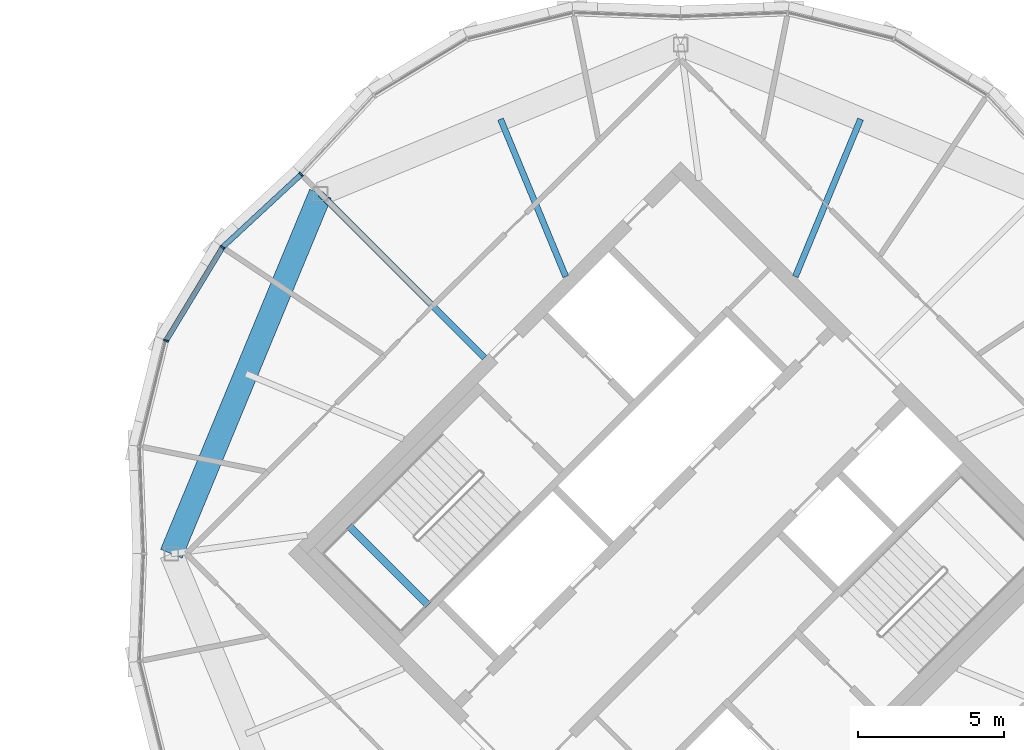
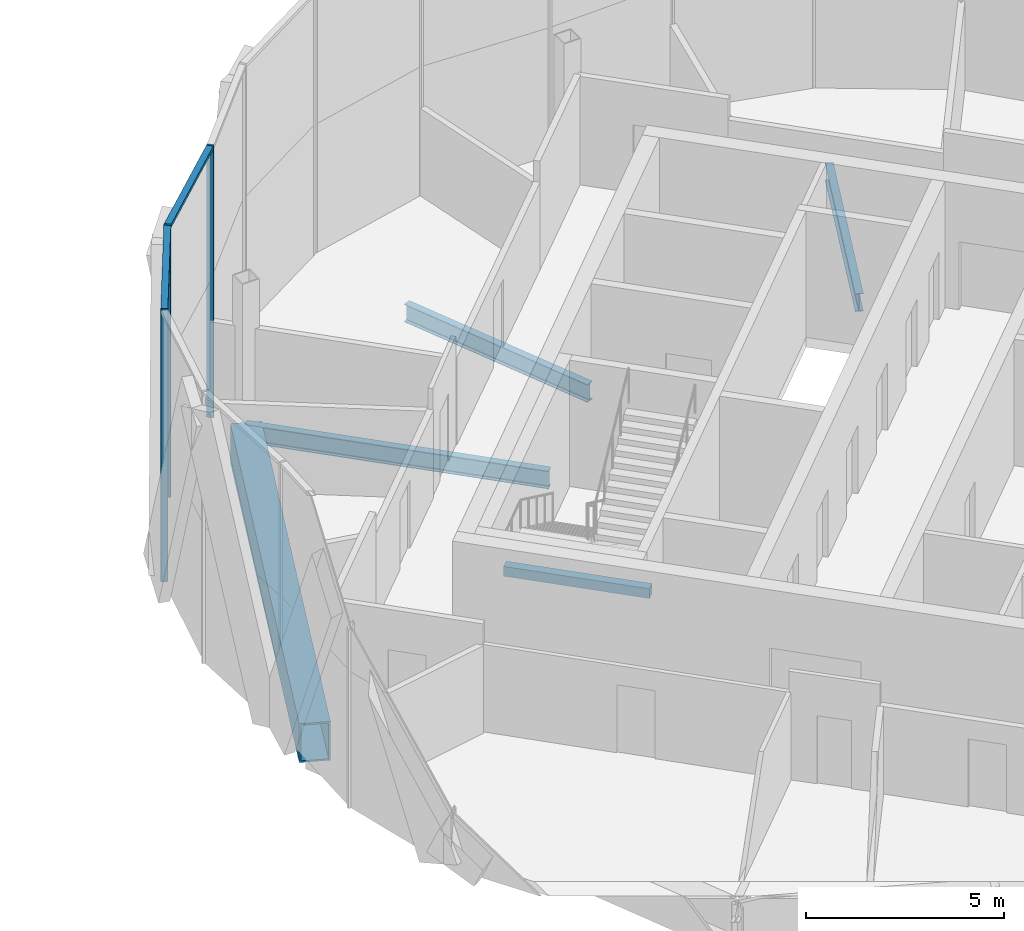
# One storey, part 9 of 22: 5 beams, 5 members, 2 elements without a shape of their own.
"""IFC4 building model written with IfcOpenShell, lengths in metres."""

import ifcopenshell
import ifcopenshell.guid

model = None  # the IFC model being written
_history = None  # IfcOwnerHistory: only IFC2X3 demands one
_inside = {}  # id of a spatial element -> (the spatial element, [elements in it])
_under = {}  # id of a project, library or spatial element -> (it, [spatial elements below it])
_declared = {}  # id of a project -> (the project, [libraries it declares])
_typed = {}  # id of a type object -> (the type object, [elements of that type])
_made_of = {}  # id of a material, layer set ... -> (it, [elements and type objects made of it])


def new_model(schema):
    """Start an empty IFC model of exactly this schema.

    Asked for "IFC4X3", IfcOpenShell would pick the latest addendum, in which some entities
    have other attributes; the version numbers below select the first issue.
    IFC2X3 requires an IfcOwnerHistory on every rooted entity: one is made here for all.
    """
    global model, _history
    if schema == "IFC4X3":
        model = ifcopenshell.file(schema_version=(4, 3, 0, 0))
    else:
        model = ifcopenshell.file(schema=schema)
    _inside.clear()
    _under.clear()
    _declared.clear()
    _typed.clear()
    _made_of.clear()
    _history = None
    if model.schema == "IFC2X3":
        org = make("IfcOrganization", Name="unknown")
        user = make(
            "IfcPersonAndOrganization",
            ThePerson=make("IfcPerson", FamilyName="unknown"),
            TheOrganization=org,
        )
        app = make(
            "IfcApplication",
            ApplicationDeveloper=org,
            Version="unknown",
            ApplicationFullName="unknown",
            ApplicationIdentifier="unknown",
        )
        _history = make(
            "IfcOwnerHistory",
            OwningUser=user,
            OwningApplication=app,
            ChangeAction="ADDED",
            CreationDate=0,
        )
    return model


def make(cls, **values):
    """One entity of the class cls with the attributes given. An attribute that is None is left unset."""
    return model.create_entity(
        cls, **{name: value for name, value in values.items() if value is not None}
    )


def rooted(cls, **values):
    """An entity with a GlobalId (a new one), such as an element, a storey or a relation."""
    return make(cls, GlobalId=ifcopenshell.guid.new(), OwnerHistory=_history, **values)


def si_unit(unit_type, name, prefix=None):
    """IfcSIUnit, for example si_unit("LENGTHUNIT", "METRE", prefix="MILLI")."""
    return make("IfcSIUnit", UnitType=unit_type, Prefix=prefix, Name=name)


def assignment(units):
    """IfcUnitAssignment: the units of a project."""
    return None if units is None else make("IfcUnitAssignment", Units=units)


def point(xyz):
    """IfcCartesianPoint."""
    return None if xyz is None else make("IfcCartesianPoint", Coordinates=xyz)


def direction(xyz):
    """IfcDirection."""
    return None if xyz is None else make("IfcDirection", DirectionRatios=xyz)


def frame(location, z_axis=None, x_axis=None):
    """IfcAxis2Placement3D, a coordinate frame: its origin and axes. An axis left out is left unset."""
    return make(
        "IfcAxis2Placement3D",
        Location=point(location),
        Axis=direction(z_axis),
        RefDirection=direction(x_axis),
    )


def frame_2d(location, x_axis=None):
    """IfcAxis2Placement2D, a coordinate frame in the plane: its origin and x axis."""
    return make(
        "IfcAxis2Placement2D", Location=point(location), RefDirection=direction(x_axis)
    )


def origin():
    """The frame at (0, 0, 0) with its axes left unset."""
    return frame((0.0, 0.0, 0.0))


def origin_2d():
    """The frame at (0, 0) in the plane with its x axis left unset."""
    return frame_2d((0.0, 0.0))


def place(relative_to, where):
    """IfcLocalPlacement: puts the frame where relative to a parent placement (None: the world)."""
    return make(
        "IfcLocalPlacement", PlacementRelTo=relative_to, RelativePlacement=where
    )


def context(
    kind, dimensions, precision=None, world=None, true_north=None, identifier=None
):
    """IfcGeometricRepresentationContext, for example the 3D "Model" context."""
    return make(
        "IfcGeometricRepresentationContext",
        ContextIdentifier=identifier,
        ContextType=kind,
        CoordinateSpaceDimension=dimensions,
        Precision=precision,
        WorldCoordinateSystem=world,
        TrueNorth=true_north,
    )


def subcontext(parent, identifier, kind, view, scale=None):
    """IfcGeometricRepresentationSubContext, for example "Body" below "Model"."""
    return make(
        "IfcGeometricRepresentationSubContext",
        ContextIdentifier=identifier,
        ContextType=kind,
        ParentContext=parent,
        TargetScale=scale,
        TargetView=view,
    )


def project(units=None, contexts=None):
    """IfcProject with its units and contexts."""
    return rooted(
        "IfcProject",
        Name="project",
        RepresentationContexts=contexts,
        UnitsInContext=assignment(units),
    )


def spatial(cls, under=None, at=None, **own):
    """A site, building, storey or space (cls), placed at a placement, below another one or the project."""
    s = rooted(cls, ObjectPlacement=at, **own)
    if under is not None:
        _under.setdefault(under.id(), (under, []))[1].append(s)
    return s


def profile(cls, at=None, kind="AREA", **sizes):
    """A parametric profile (cls). Its sizes go by their IFC names, for example OverallWidth=200.0."""
    return make(cls, ProfileType=kind, Position=at, **sizes)


def rectangle(**sizes):
    """IfcRectangleProfileDef."""
    return profile("IfcRectangleProfileDef", **sizes)


def hollow_rectangle(**sizes):
    """IfcRectangleHollowProfileDef."""
    return profile("IfcRectangleHollowProfileDef", **sizes)


def i_section(**sizes):
    """IfcIShapeProfileDef."""
    return profile("IfcIShapeProfileDef", **sizes)


def extrude(swept, where, along, depth):
    """IfcExtrudedAreaSolid: the profile swept, set in the frame where, extruded along a direction by depth."""
    return make(
        "IfcExtrudedAreaSolid",
        SweptArea=swept,
        Position=where,
        ExtrudedDirection=direction(along),
        Depth=depth,
    )


def shape(context_of_items, identifier, shape_type, items):
    """IfcShapeRepresentation: the items that make up one representation, for example the "Body"."""
    return make(
        "IfcShapeRepresentation",
        ContextOfItems=context_of_items,
        RepresentationIdentifier=identifier,
        RepresentationType=shape_type,
        Items=items,
    )


def material(Name=None, Category=None):
    """IfcMaterial."""
    return make("IfcMaterial", Name=Name, Category=Category)


def material_profile(
    of_material, cross_section, Name=None, Category=None, Priority=None
):
    """IfcMaterialProfile: a cross section and its material."""
    return make(
        "IfcMaterialProfile",
        Name=Name,
        Material=of_material,
        Profile=cross_section,
        Priority=Priority,
        Category=Category,
    )


def profile_set(profiles, Name=None, composite=None):
    """IfcMaterialProfileSet."""
    return make(
        "IfcMaterialProfileSet",
        Name=Name,
        MaterialProfiles=profiles,
        CompositeProfile=composite,
    )


def made_of(thing, what):
    """Note that an element or type object is made of a material, layer set ...; save() writes the relation."""
    if what is not None:
        _made_of.setdefault(what.id(), (what, []))[1].append(thing)
    return thing


def type_object(cls, material=None, **own):
    """A type object (cls), such as IfcWallType, which elements share."""
    return made_of(rooted(cls, **own), material)


def element(
    cls,
    number,
    at=None,
    inside=None,
    cuts=None,
    type_object=None,
    material=None,
    context=None,
    identifier="Body",
    shape_type=None,
    held_by="IfcProductDefinitionShape",
    body=None,
    shapes=None,
    **own,
):
    """One element of the class cls, such as IfcWall. Its Tag is "e" and its number.

    at: its placement. inside: the storey or other place that contains it. cuts: it is an
    opening in that element (IfcRelVoidsElement). A single representation is given by context,
    identifier, shape_type and body (its items); several are given by shapes. held_by: the class
    of the entity that holds the representations. save() writes the other relations.
    """
    e = rooted(cls, Tag="e%d" % number, ObjectPlacement=at, **own)
    if body is not None:
        shapes = [shape(context, identifier, shape_type, body)]
    if shapes is not None:
        e.Representation = make(held_by, Representations=shapes)
    if inside is not None:
        _inside.setdefault(inside.id(), (inside, []))[1].append(e)
    if cuts is not None:
        rooted(
            "IfcRelVoidsElement", RelatingBuildingElement=cuts, RelatedOpeningElement=e
        )
    if type_object is not None:
        _typed.setdefault(type_object.id(), (type_object, []))[1].append(e)
    return made_of(e, material)


def aggregate(whole, parts):
    """IfcRelAggregates: a whole, such as a stair, and the parts it consists of."""
    return rooted("IfcRelAggregates", RelatingObject=whole, RelatedObjects=parts)


def save(model, path):
    """Write the relations noted so far, then the file.

    IfcRelAggregates (storeys below a building ...), IfcRelContainedInSpatialStructure (elements
    in a storey), IfcRelDefinesByType, IfcRelAssociatesMaterial and IfcRelDeclares: one each for
    every whole, place, type object, material and project.
    """
    for whole, parts in _under.values():
        aggregate(whole, parts)
    for where, things in _inside.values():
        rooted(
            "IfcRelContainedInSpatialStructure",
            RelatedElements=things,
            RelatingStructure=where,
        )
    for kind, things in _typed.values():
        rooted("IfcRelDefinesByType", RelatedObjects=things, RelatingType=kind)
    for what, things in _made_of.values():
        rooted("IfcRelAssociatesMaterial", RelatedObjects=things, RelatingMaterial=what)
    for by, libraries in _declared.values():
        rooted("IfcRelDeclares", RelatingContext=by, RelatedDefinitions=libraries)
    model.write(path)


model = new_model("IFC4")

# Units and contexts
model_context = context("Model", 3, precision=1e-05, world=origin(), true_north=direction((0.0, 1.0)))
body_context = subcontext(model_context, "Body", "Model", "MODEL_VIEW")
ifc_project = project(units=[si_unit("LENGTHUNIT", "METRE"), si_unit("AREAUNIT", "SQUARE_METRE"), si_unit("VOLUMEUNIT", "CUBIC_METRE"), si_unit("PLANEANGLEUNIT", "RADIAN"), si_unit("MASSUNIT", "GRAM", prefix="KILO")], contexts=[model_context])

# Site, building, storey
site_placement = place(None, origin())
site = spatial("IfcSite", under=ifc_project, at=site_placement, CompositionType="ELEMENT")
building_placement = place(site_placement, origin())
building = spatial("IfcBuilding", under=site, at=building_placement, Name="Ogive Gate Towers", CompositionType="ELEMENT")
storey_placement = place(building_placement, frame((0.0, 0.0, 285.60009765625)))
storey = spatial("IfcBuildingStorey", under=building, at=storey_placement, Name="L67", CompositionType="ELEMENT", Elevation=285.60009765625)

# Beams
ifc_material_1 = material(Name="Steel SM460", Category="steel")
ifc_material_profile_1 = material_profile(ifc_material_1, hollow_rectangle(XDim=0.800048828125, YDim=1.199951171875, WallThickness=0.050048828125, at=origin_2d()), Name="BX 1200x800x50")
ifc_profile_set_1 = profile_set([ifc_material_profile_1], Name="Steel SM460")
beam_type_1 = type_object("IfcBeamType", Name="Edge girder BX 1200x800x50", PredefinedType="BEAM", material=ifc_profile_set_1)
beam_1_placement = place(storey_placement, frame((23.657470703125, 12.342529296875, -0.900146484375), z_axis=(-0.382690191996, -0.923876732551, 0.0), x_axis=(0.923876732551, -0.382690191996, 0.0)))
element("IfcBeam", 1, at=beam_1_placement, inside=storey, type_object=beam_type_1, Name="T2/L67/SBM023", PredefinedType="BEAM", context=body_context, shape_type="SweptSolid", body=[
    extrude(hollow_rectangle(XDim=0.800048828125, YDim=1.199951171875, WallThickness=0.050048828125, at=origin_2d()), origin(), (0.0, 0.0, 1.0), 13.359619140625),
])
ifc_material_2 = material(Name="Concrete C40/50", Category="concrete")
ifc_material_profile_2 = material_profile(ifc_material_2, rectangle(XDim=0.25, YDim=0.300048828125, at=origin_2d()), Name="RC 250x300")
ifc_profile_set_2 = profile_set([ifc_material_profile_2], Name="Concrete C40/50")
beam_type_2 = type_object("IfcBeamType", Name="Landing bearer RC 250x300", PredefinedType="BEAM", material=ifc_profile_set_2)
beam_2_placement = place(storey_placement, frame((24.64111328125, 0.94482421875, 1.75), z_axis=(0.707138693938, -0.707074866995, 0.0), x_axis=(0.707074866995, 0.707138693938, 0.0)))
element("IfcBeam", 2, at=beam_2_placement, inside=storey, type_object=beam_type_2, Name="T2 L67 stair 1 landing bearer 1", PredefinedType="BEAM", context=body_context, shape_type="SweptSolid", body=[
    extrude(rectangle(XDim=0.25, YDim=0.300048828125, at=origin_2d()), origin(), (0.0, 0.0, 1.0), 3.824951171875),
])
ifc_material_3 = material(Name="Steel SM355", Category="steel")
ifc_material_profile_3 = material_profile(ifc_material_3, i_section(OverallWidth=0.2099609375, OverallDepth=0.550048828125, WebThickness=0.010986328125, FlangeThickness=0.01708984375, FilletRadius=0.02392578125, at=origin_2d()), Name="IPE 550")
ifc_profile_set_3 = profile_set([ifc_material_profile_3], Name="Steel SM355")
beam_type_3 = type_object("IfcBeamType", Name="Radial floor beam IPE 550", PredefinedType="BEAM", material=ifc_profile_set_3)
for number, where, z_axis, x_axis, name in (
    (3, (39.93505859375, 9.5, -0.5751953125), (0.382701102209, 0.923872213225, 0.0), (-0.923872213225, 0.382701102209, 0.0), "T2/L67/SBM010"),
    (4, (32.06494140625, 9.5, -0.5751953125), (-0.382701102209, 0.923872213225, 0.0), (-0.923872213225, -0.382701102209, 0.0), "T2/L67/SBM012"),
):
    element("IfcBeam", number, at=place(storey_placement, frame(where, z_axis=z_axis, x_axis=x_axis)), inside=storey, type_object=beam_type_3, Name=name, PredefinedType="BEAM", context=body_context, shape_type="SweptSolid", body=[
        extrude(i_section(OverallWidth=0.2099609375, OverallDepth=0.550048828125, WebThickness=0.010986328125, FlangeThickness=0.01708984375, FilletRadius=0.02392578125, at=origin_2d()), origin(), (0.0, 0.0, 1.0), 5.843505859375),
    ])
beam_3_placement = place(storey_placement, frame((29.282470703125, 6.717529296875, -0.5751953125), z_axis=(-0.707106781187, 0.707106781187, 0.0), x_axis=(-0.707106781187, -0.707106781187, 0.0)))
element("IfcBeam", 5, at=beam_3_placement, inside=storey, type_object=beam_type_3, Name="T2/L67/SBM013", PredefinedType="BEAM", context=body_context, shape_type="SweptSolid", body=[
    extrude(i_section(OverallWidth=0.2099609375, OverallDepth=0.550048828125, WebThickness=0.010986328125, FlangeThickness=0.01708984375, FilletRadius=0.02392578125, at=origin_2d()), origin(), (0.0, 0.0, 1.0), 7.954833984375),
])

# Curtain wall, member
ifc_material_4 = material(Name="Pale metal aluminium", Category="aluminium")
curtain_wall_type = type_object("IfcCurtainWallType", Name="Tower unitised wall, high zone", PredefinedType="NOTDEFINED", material=ifc_material_4)
curtain_wall_1_placement = place(storey_placement, origin())
curtain_wall_1 = element("IfcCurtainWall", 6, at=curtain_wall_1_placement, inside=storey, type_object=curtain_wall_type, Name="CW2 T2 ECW03", PredefinedType="NOTDEFINED")
ifc_material_profile_4 = material_profile(ifc_material_4, rectangle(XDim=0.179931640625, YDim=0.06005859375, at=origin_2d()), Name="60 x 180 aluminium box")
ifc_profile_set_4 = profile_set([ifc_material_profile_4], Name="Pale metal aluminium")
member_type_1 = type_object("IfcMemberType", Name="Tower unitised wall, high zone mullion 60 x 180", PredefinedType="MULLION", material=ifc_profile_set_4)
member_1_placement = place(storey_placement, frame((22.99658203125, 13.00390625, -0.300048828125), z_axis=(0.0, 0.0, 1.0), x_axis=(-0.733338412727, 0.679863789608, 0.0)))
member_1 = element("IfcMember", 7, at=member_1_placement, type_object=member_type_1, Name="CW2 mullion", PredefinedType="MULLION", context=body_context, shape_type="SweptSolid", body=[
    extrude(rectangle(XDim=0.179931640625, YDim=0.06005859375, at=origin_2d()), origin(), (0.0, 0.0, 1.0), 8.39990234375),
])
aggregate(curtain_wall_1, [member_1])

# Curtain wall, members
curtain_wall_2_placement = place(storey_placement, origin())
curtain_wall_2 = element("IfcCurtainWall", 8, at=curtain_wall_2_placement, inside=storey, type_object=curtain_wall_type, Name="CW2 T2 ECW04", PredefinedType="NOTDEFINED")
member_2_placement = place(storey_placement, frame((20.2978515625, 10.502197265625, -0.300048828125), z_axis=(0.0, 0.0, 1.0), x_axis=(-0.775120954363, 0.631812872699, 0.0)))
member_2 = element("IfcMember", 9, at=member_2_placement, type_object=member_type_1, Name="CW2 mullion", PredefinedType="MULLION", context=body_context, shape_type="SweptSolid", body=[
    extrude(rectangle(XDim=0.179931640625, YDim=0.06005859375, at=origin_2d()), origin(), (0.0, 0.0, 1.0), 8.39990234375),
])
member_3_placement = place(storey_placement, frame((18.362060546875, 7.305908203125, -0.300048828125), z_axis=(0.0, 0.0, 1.0), x_axis=(-0.923879532511, 0.382683432365, 0.0)))
member_3 = element("IfcMember", 10, at=member_3_placement, type_object=member_type_1, Name="CW2 mullion", PredefinedType="MULLION", context=body_context, shape_type="SweptSolid", body=[
    extrude(rectangle(XDim=0.179931640625, YDim=0.06005859375, at=origin_2d()), origin(), (0.0, 0.0, 1.0), 8.39990234375),
])
ifc_material_profile_5 = material_profile(ifc_material_4, rectangle(XDim=0.179931640625, YDim=0.10009765625, at=origin_2d()), Name="100 x 180 aluminium box")
ifc_profile_set_5 = profile_set([ifc_material_profile_5], Name="Pale metal aluminium")
member_type_2 = type_object("IfcMemberType", Name="Tower unitised wall, high zone transom 100 x 180", PredefinedType="USERDEFINED", material=ifc_profile_set_5)
member_4_placement = place(storey_placement, frame((22.97412109375, 12.983154296875, 8.0498046875), z_axis=(-0.733335999654, -0.679866392471, 0.0), x_axis=(0.679866392471, -0.733335999654, 0.0)))
member_4 = element("IfcMember", 11, at=member_4_placement, type_object=member_type_2, Name="CW2 transom", ObjectType="TRANSOM", PredefinedType="USERDEFINED", context=body_context, shape_type="SweptSolid", body=[
    extrude(rectangle(XDim=0.179931640625, YDim=0.10009765625, at=origin_2d()), origin(), (0.0, 0.0, 1.0), 3.620849609375),
])
member_5_placement = place(storey_placement, frame((20.283203125, 10.477783203125, 8.0498046875), z_axis=(-0.518013498205, -0.855372442669, 0.0), x_axis=(0.855372442669, -0.518013498205, 0.0)))
member_5 = element("IfcMember", 12, at=member_5_placement, type_object=member_type_2, Name="CW2 transom", ObjectType="TRANSOM", PredefinedType="USERDEFINED", context=body_context, shape_type="SweptSolid", body=[
    extrude(rectangle(XDim=0.179931640625, YDim=0.10009765625, at=origin_2d()), origin(), (0.0, 0.0, 1.0), 3.679931640625),
])
aggregate(curtain_wall_2, [member_2, member_4, member_3, member_5])

save(model, "model.ifc")
